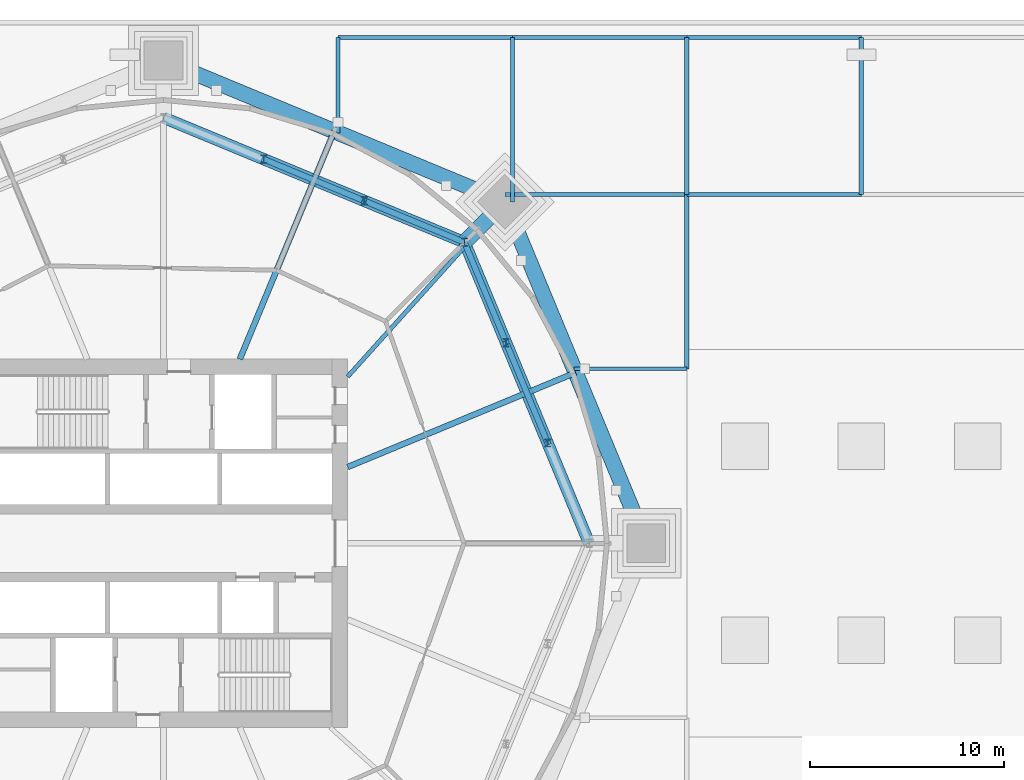
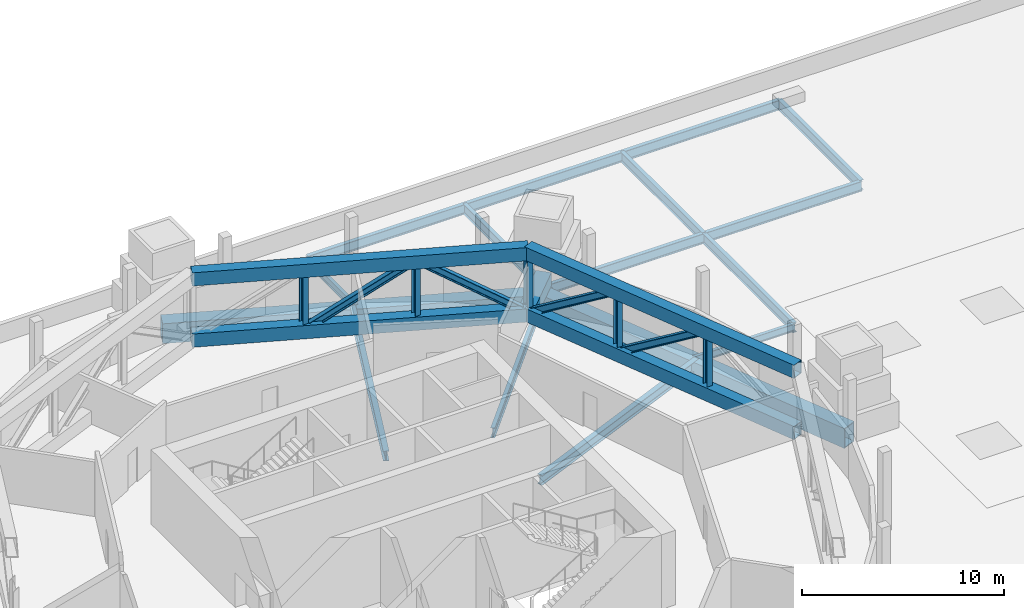
# One storey, part 5 of 21: 17 beams, 13 members.
"""IFC4 building model written with IfcOpenShell, lengths in metres."""

import ifcopenshell
import ifcopenshell.guid

model = None  # the IFC model being written
_history = None  # IfcOwnerHistory: only IFC2X3 demands one
_inside = {}  # id of a spatial element -> (the spatial element, [elements in it])
_under = {}  # id of a project, library or spatial element -> (it, [spatial elements below it])
_declared = {}  # id of a project -> (the project, [libraries it declares])
_typed = {}  # id of a type object -> (the type object, [elements of that type])
_made_of = {}  # id of a material, layer set ... -> (it, [elements and type objects made of it])


def new_model(schema):
    """Start an empty IFC model of exactly this schema.

    Asked for "IFC4X3", IfcOpenShell would pick the latest addendum, in which some entities
    have other attributes; the version numbers below select the first issue.
    IFC2X3 requires an IfcOwnerHistory on every rooted entity: one is made here for all.
    """
    global model, _history
    if schema == "IFC4X3":
        model = ifcopenshell.file(schema_version=(4, 3, 0, 0))
    else:
        model = ifcopenshell.file(schema=schema)
    _inside.clear()
    _under.clear()
    _declared.clear()
    _typed.clear()
    _made_of.clear()
    _history = None
    if model.schema == "IFC2X3":
        org = make("IfcOrganization", Name="unknown")
        user = make(
            "IfcPersonAndOrganization",
            ThePerson=make("IfcPerson", FamilyName="unknown"),
            TheOrganization=org,
        )
        app = make(
            "IfcApplication",
            ApplicationDeveloper=org,
            Version="unknown",
            ApplicationFullName="unknown",
            ApplicationIdentifier="unknown",
        )
        _history = make(
            "IfcOwnerHistory",
            OwningUser=user,
            OwningApplication=app,
            ChangeAction="ADDED",
            CreationDate=0,
        )
    return model


def make(cls, **values):
    """One entity of the class cls with the attributes given. An attribute that is None is left unset."""
    return model.create_entity(
        cls, **{name: value for name, value in values.items() if value is not None}
    )


def rooted(cls, **values):
    """An entity with a GlobalId (a new one), such as an element, a storey or a relation."""
    return make(cls, GlobalId=ifcopenshell.guid.new(), OwnerHistory=_history, **values)


def si_unit(unit_type, name, prefix=None):
    """IfcSIUnit, for example si_unit("LENGTHUNIT", "METRE", prefix="MILLI")."""
    return make("IfcSIUnit", UnitType=unit_type, Prefix=prefix, Name=name)


def assignment(units):
    """IfcUnitAssignment: the units of a project."""
    return None if units is None else make("IfcUnitAssignment", Units=units)


def point(xyz):
    """IfcCartesianPoint."""
    return None if xyz is None else make("IfcCartesianPoint", Coordinates=xyz)


def direction(xyz):
    """IfcDirection."""
    return None if xyz is None else make("IfcDirection", DirectionRatios=xyz)


def frame(location, z_axis=None, x_axis=None):
    """IfcAxis2Placement3D, a coordinate frame: its origin and axes. An axis left out is left unset."""
    return make(
        "IfcAxis2Placement3D",
        Location=point(location),
        Axis=direction(z_axis),
        RefDirection=direction(x_axis),
    )


def frame_2d(location, x_axis=None):
    """IfcAxis2Placement2D, a coordinate frame in the plane: its origin and x axis."""
    return make(
        "IfcAxis2Placement2D", Location=point(location), RefDirection=direction(x_axis)
    )


def origin():
    """The frame at (0, 0, 0) with its axes left unset."""
    return frame((0.0, 0.0, 0.0))


def origin_2d():
    """The frame at (0, 0) in the plane with its x axis left unset."""
    return frame_2d((0.0, 0.0))


def place(relative_to, where):
    """IfcLocalPlacement: puts the frame where relative to a parent placement (None: the world)."""
    return make(
        "IfcLocalPlacement", PlacementRelTo=relative_to, RelativePlacement=where
    )


def context(
    kind, dimensions, precision=None, world=None, true_north=None, identifier=None
):
    """IfcGeometricRepresentationContext, for example the 3D "Model" context."""
    return make(
        "IfcGeometricRepresentationContext",
        ContextIdentifier=identifier,
        ContextType=kind,
        CoordinateSpaceDimension=dimensions,
        Precision=precision,
        WorldCoordinateSystem=world,
        TrueNorth=true_north,
    )


def subcontext(parent, identifier, kind, view, scale=None):
    """IfcGeometricRepresentationSubContext, for example "Body" below "Model"."""
    return make(
        "IfcGeometricRepresentationSubContext",
        ContextIdentifier=identifier,
        ContextType=kind,
        ParentContext=parent,
        TargetScale=scale,
        TargetView=view,
    )


def project(units=None, contexts=None):
    """IfcProject with its units and contexts."""
    return rooted(
        "IfcProject",
        Name="project",
        RepresentationContexts=contexts,
        UnitsInContext=assignment(units),
    )


def spatial(cls, under=None, at=None, **own):
    """A site, building, storey or space (cls), placed at a placement, below another one or the project."""
    s = rooted(cls, ObjectPlacement=at, **own)
    if under is not None:
        _under.setdefault(under.id(), (under, []))[1].append(s)
    return s


def profile(cls, at=None, kind="AREA", **sizes):
    """A parametric profile (cls). Its sizes go by their IFC names, for example OverallWidth=200.0."""
    return make(cls, ProfileType=kind, Position=at, **sizes)


def hollow_rectangle(**sizes):
    """IfcRectangleHollowProfileDef."""
    return profile("IfcRectangleHollowProfileDef", **sizes)


def i_section(**sizes):
    """IfcIShapeProfileDef."""
    return profile("IfcIShapeProfileDef", **sizes)


def extrude(swept, where, along, depth):
    """IfcExtrudedAreaSolid: the profile swept, set in the frame where, extruded along a direction by depth."""
    return make(
        "IfcExtrudedAreaSolid",
        SweptArea=swept,
        Position=where,
        ExtrudedDirection=direction(along),
        Depth=depth,
    )


def shape(context_of_items, identifier, shape_type, items):
    """IfcShapeRepresentation: the items that make up one representation, for example the "Body"."""
    return make(
        "IfcShapeRepresentation",
        ContextOfItems=context_of_items,
        RepresentationIdentifier=identifier,
        RepresentationType=shape_type,
        Items=items,
    )


def material(Name=None, Category=None):
    """IfcMaterial."""
    return make("IfcMaterial", Name=Name, Category=Category)


def material_profile(
    of_material, cross_section, Name=None, Category=None, Priority=None
):
    """IfcMaterialProfile: a cross section and its material."""
    return make(
        "IfcMaterialProfile",
        Name=Name,
        Material=of_material,
        Profile=cross_section,
        Priority=Priority,
        Category=Category,
    )


def profile_set(profiles, Name=None, composite=None):
    """IfcMaterialProfileSet."""
    return make(
        "IfcMaterialProfileSet",
        Name=Name,
        MaterialProfiles=profiles,
        CompositeProfile=composite,
    )


def made_of(thing, what):
    """Note that an element or type object is made of a material, layer set ...; save() writes the relation."""
    if what is not None:
        _made_of.setdefault(what.id(), (what, []))[1].append(thing)
    return thing


def type_object(cls, material=None, **own):
    """A type object (cls), such as IfcWallType, which elements share."""
    return made_of(rooted(cls, **own), material)


def element(
    cls,
    number,
    at=None,
    inside=None,
    cuts=None,
    type_object=None,
    material=None,
    context=None,
    identifier="Body",
    shape_type=None,
    held_by="IfcProductDefinitionShape",
    body=None,
    shapes=None,
    **own,
):
    """One element of the class cls, such as IfcWall. Its Tag is "e" and its number.

    at: its placement. inside: the storey or other place that contains it. cuts: it is an
    opening in that element (IfcRelVoidsElement). A single representation is given by context,
    identifier, shape_type and body (its items); several are given by shapes. held_by: the class
    of the entity that holds the representations. save() writes the other relations.
    """
    e = rooted(cls, Tag="e%d" % number, ObjectPlacement=at, **own)
    if body is not None:
        shapes = [shape(context, identifier, shape_type, body)]
    if shapes is not None:
        e.Representation = make(held_by, Representations=shapes)
    if inside is not None:
        _inside.setdefault(inside.id(), (inside, []))[1].append(e)
    if cuts is not None:
        rooted(
            "IfcRelVoidsElement", RelatingBuildingElement=cuts, RelatedOpeningElement=e
        )
    if type_object is not None:
        _typed.setdefault(type_object.id(), (type_object, []))[1].append(e)
    return made_of(e, material)


def aggregate(whole, parts):
    """IfcRelAggregates: a whole, such as a stair, and the parts it consists of."""
    return rooted("IfcRelAggregates", RelatingObject=whole, RelatedObjects=parts)


def save(model, path):
    """Write the relations noted so far, then the file.

    IfcRelAggregates (storeys below a building ...), IfcRelContainedInSpatialStructure (elements
    in a storey), IfcRelDefinesByType, IfcRelAssociatesMaterial and IfcRelDeclares: one each for
    every whole, place, type object, material and project.
    """
    for whole, parts in _under.values():
        aggregate(whole, parts)
    for where, things in _inside.values():
        rooted(
            "IfcRelContainedInSpatialStructure",
            RelatedElements=things,
            RelatingStructure=where,
        )
    for kind, things in _typed.values():
        rooted("IfcRelDefinesByType", RelatedObjects=things, RelatingType=kind)
    for what, things in _made_of.values():
        rooted("IfcRelAssociatesMaterial", RelatedObjects=things, RelatingMaterial=what)
    for by, libraries in _declared.values():
        rooted("IfcRelDeclares", RelatingContext=by, RelatedDefinitions=libraries)
    model.write(path)


model = new_model("IFC4")

# Units and contexts
model_context = context("Model", 3, precision=1e-05, world=origin(), true_north=direction((0.0, 1.0)))
body_context = subcontext(model_context, "Body", "Model", "MODEL_VIEW")
ifc_project = project(units=[si_unit("LENGTHUNIT", "METRE"), si_unit("AREAUNIT", "SQUARE_METRE"), si_unit("VOLUMEUNIT", "CUBIC_METRE"), si_unit("PLANEANGLEUNIT", "RADIAN"), si_unit("MASSUNIT", "GRAM", prefix="KILO")], contexts=[model_context])

# Site, building, storey
site_placement = place(None, origin())
site = spatial("IfcSite", under=ifc_project, at=site_placement, CompositionType="ELEMENT")
building_placement = place(site_placement, origin())
building = spatial("IfcBuilding", under=site, at=building_placement, Name="Ogive Gate Towers", CompositionType="ELEMENT")
storey_placement = place(building_placement, frame((0.0, 0.0, 27.60009765625)))
storey = spatial("IfcBuildingStorey", under=building, at=storey_placement, Name="L05", CompositionType="ELEMENT", Elevation=27.60009765625)

# Beams
ifc_material_1 = material(Name="Steel SM460", Category="steel")
ifc_material_profile_1 = material_profile(ifc_material_1, hollow_rectangle(XDim=0.800048828125, YDim=1.199951171875, WallThickness=0.050048828125, at=origin_2d()), Name="BX 1200x800x50")
ifc_profile_set_1 = profile_set([ifc_material_profile_1], Name="Steel SM460")
beam_type_1 = type_object("IfcBeamType", Name="Edge girder BX 1200x800x50", PredefinedType="BEAM", material=ifc_profile_set_1)
for number, where, z_axis, x_axis, name in (
    (1, (-11.090087890625, 0.0, -0.900146484375), (-0.382680526191, 0.923880736283, 0.0), (-0.923880736283, -0.382680526191, 0.0), "T1/L05/SBM020"),
    (2, (-18.385986328125, 17.614013671875, -0.900146484375), (-0.923880736283, 0.382680526191, 0.0), (-0.382680526191, -0.923880736283, 0.0), "T1/L05/SBM021"),
):
    element("IfcBeam", number, at=place(storey_placement, frame(where, z_axis=z_axis, x_axis=x_axis)), inside=storey, type_object=beam_type_1, Name=name, PredefinedType="BEAM", context=body_context, shape_type="SweptSolid", body=[
        extrude(hollow_rectangle(XDim=0.800048828125, YDim=1.199951171875, WallThickness=0.050048828125, at=origin_2d()), origin(), (0.0, 0.0, 1.0), 19.065185546875),
    ])
ifc_material_2 = material(Name="Steel SM355", Category="steel")
ifc_material_profile_2 = material_profile(ifc_material_2, i_section(OverallWidth=0.18994140625, OverallDepth=0.449951171875, WebThickness=0.009521484375, FlangeThickness=0.0146484375, FilletRadius=0.02099609375, at=origin_2d()), Name="IPE 450")
ifc_profile_set_2 = profile_set([ifc_material_profile_2], Name="Steel SM355")
beam_type_2 = type_object("IfcBeamType", Name="Floor beam IPE 450", PredefinedType="BEAM", material=ifc_profile_set_2)
beam_1_placement = place(storey_placement, frame((-27.0, 26.10009765625, -0.525146484375), z_axis=(0.0, -1.0, 0.0), x_axis=(1.0, 0.0, 0.0)))
element("IfcBeam", 3, at=beam_1_placement, inside=storey, type_object=beam_type_2, Name="PD/L05/SBM056", PredefinedType="BEAM", context=body_context, shape_type="SweptSolid", body=[
    extrude(i_section(OverallWidth=0.18994140625, OverallDepth=0.449951171875, WebThickness=0.009521484375, FlangeThickness=0.0146484375, FilletRadius=0.02099609375, at=origin_2d()), origin(), (0.0, 0.0, 1.0), 4.91796875),
])
beam_2_placement = place(storey_placement, frame((-9.0, 9.0, -0.525146484375), z_axis=(-1.0, 0.0, 0.0), x_axis=(0.0, -1.0, 0.0)))
element("IfcBeam", 4, at=beam_2_placement, inside=storey, type_object=beam_type_2, Name="PD/L05/SBM058", PredefinedType="BEAM", context=body_context, shape_type="SweptSolid", body=[
    extrude(i_section(OverallWidth=0.18994140625, OverallDepth=0.449951171875, WebThickness=0.009521484375, FlangeThickness=0.0146484375, FilletRadius=0.02099609375, at=origin_2d()), origin(), (0.0, 0.0, 1.0), 5.81787109375),
])
ifc_material_profile_3 = material_profile(ifc_material_2, i_section(OverallWidth=0.219970703125, OverallDepth=0.60009765625, WebThickness=0.011962890625, FlangeThickness=0.01904296875, FilletRadius=0.02392578125, at=origin_2d()), Name="IPE 600")
ifc_profile_set_3 = profile_set([ifc_material_profile_3], Name="Steel SM355")
beam_type_3 = type_object("IfcBeamType", Name="Floor beam IPE 600", PredefinedType="BEAM", material=ifc_profile_set_3)
beam_3_placement = place(storey_placement, frame((-18.0, 17.614013671875, -0.60009765625), z_axis=(0.0, 1.0, 0.0), x_axis=(-1.0, 0.0, 0.0)))
element("IfcBeam", 5, at=beam_3_placement, inside=storey, type_object=beam_type_3, Name="PD/L05/SBM004", PredefinedType="BEAM", context=body_context, shape_type="SweptSolid", body=[
    extrude(i_section(OverallWidth=0.219970703125, OverallDepth=0.60009765625, WebThickness=0.011962890625, FlangeThickness=0.01904296875, FilletRadius=0.02392578125, at=origin_2d()), origin(), (0.0, 0.0, 1.0), 8.486083984375),
])
beam_4_placement = place(storey_placement, frame((-9.0, 9.0, -0.60009765625), z_axis=(0.0, 1.0, 0.0), x_axis=(-1.0, 0.0, 0.0)))
element("IfcBeam", 6, at=beam_4_placement, inside=storey, type_object=beam_type_3, Name="PD/L05/SBM007", PredefinedType="BEAM", context=body_context, shape_type="SweptSolid", body=[
    extrude(i_section(OverallWidth=0.219970703125, OverallDepth=0.60009765625, WebThickness=0.011962890625, FlangeThickness=0.01904296875, FilletRadius=0.02392578125, at=origin_2d()), origin(), (0.0, 0.0, 1.0), 9.0),
])
for number, where, z_axis, x_axis, name in (
    (7, (-9.0, 18.0, -0.60009765625), (0.0, 1.0, 0.0), (-1.0, 0.0, 0.0), "PD/L05/SBM008"),
    (8, (0.0, 18.0, -0.60009765625), (0.0, 1.0, 0.0), (-1.0, 0.0, 0.0), "PD/L05/SBM010"),
):
    element("IfcBeam", number, at=place(storey_placement, frame(where, z_axis=z_axis, x_axis=x_axis)), inside=storey, type_object=beam_type_3, Name=name, PredefinedType="BEAM", context=body_context, shape_type="SweptSolid", body=[
        extrude(i_section(OverallWidth=0.219970703125, OverallDepth=0.60009765625, WebThickness=0.011962890625, FlangeThickness=0.01904296875, FilletRadius=0.02392578125, at=origin_2d()), origin(), (0.0, 0.0, 1.0), 8.10009765625),
    ])
beam_5_placement = place(storey_placement, frame((-18.385986328125, 18.0, -0.60009765625), z_axis=(1.0, 0.0, 0.0), x_axis=(0.0, 1.0, 0.0)))
element("IfcBeam", 9, at=beam_5_placement, inside=storey, type_object=beam_type_3, Name="PD/L05/SBM026", PredefinedType="BEAM", context=body_context, shape_type="SweptSolid", body=[
    extrude(i_section(OverallWidth=0.219970703125, OverallDepth=0.60009765625, WebThickness=0.011962890625, FlangeThickness=0.01904296875, FilletRadius=0.02392578125, at=origin_2d()), origin(), (0.0, 0.0, 1.0), 9.385986328125),
])
for number, where, z_axis, x_axis, name in (
    (10, (-9.0, 18.0, -0.60009765625), (1.0, 0.0, 0.0), (0.0, 1.0, 0.0), "PD/L05/SBM027"),
    (11, (-27.0, 26.10009765625, -0.60009765625), (1.0, 0.0, 0.0), (0.0, 1.0, 0.0), "PD/L05/SBM042"),
    (12, (-18.0, 26.10009765625, -0.60009765625), (1.0, 0.0, 0.0), (0.0, 1.0, 0.0), "PD/L05/SBM043"),
    (13, (-9.0, 26.10009765625, -0.60009765625), (1.0, 0.0, 0.0), (0.0, 1.0, 0.0), "PD/L05/SBM044"),
):
    element("IfcBeam", number, at=place(storey_placement, frame(where, z_axis=z_axis, x_axis=x_axis)), inside=storey, type_object=beam_type_3, Name=name, PredefinedType="BEAM", context=body_context, shape_type="SweptSolid", body=[
        extrude(i_section(OverallWidth=0.219970703125, OverallDepth=0.60009765625, WebThickness=0.011962890625, FlangeThickness=0.01904296875, FilletRadius=0.02392578125, at=origin_2d()), origin(), (0.0, 0.0, 1.0), 9.0),
    ])
ifc_material_profile_4 = material_profile(ifc_material_1, hollow_rectangle(XDim=0.800048828125, YDim=0.800048828125, WallThickness=0.050048828125, at=origin_2d()), Name="BX 800x800x50")
ifc_profile_set_4 = profile_set([ifc_material_profile_4], Name="Steel SM460")
beam_type_4 = type_object("IfcBeamType", Name="Node arm BX 800x800x50", PredefinedType="BEAM", material=ifc_profile_set_4)
beam_6_placement = place(storey_placement, frame((-20.471923828125, 15.528076171875, 0.449951171875), z_axis=(0.707106781187, 0.707106781187, 0.0), x_axis=(-0.707106781187, 0.707106781187, 0.0)))
element("IfcBeam", 14, at=beam_6_placement, inside=storey, type_object=beam_type_4, Name="T1/L05/SBM026", PredefinedType="BEAM", context=body_context, shape_type="SweptSolid", body=[
    extrude(hollow_rectangle(XDim=0.800048828125, YDim=0.800048828125, WallThickness=0.050048828125, at=origin_2d()), origin(), (0.0, 0.0, 1.0), 2.949951171875),
])
ifc_material_profile_5 = material_profile(ifc_material_2, i_section(OverallWidth=0.300048828125, OverallDepth=0.590087890625, WebThickness=0.012939453125, FlangeThickness=0.02490234375, FilletRadius=0.027099609375, at=origin_2d()), Name="HE 600 A")
ifc_profile_set_5 = profile_set([ifc_material_profile_5], Name="Steel SM355")
beam_type_5 = type_object("IfcBeamType", Name="Radial floor beam HE 600 A", PredefinedType="BEAM", material=ifc_profile_set_5)
for number, where, z_axis, x_axis, name in (
    (15, (-26.5, 3.93505859375, -0.59521484375), (0.923876595354, 0.382690523214, 0.0), (-0.382690523214, 0.923876595354, 0.0), "T1/L05/SBM008"),
    (16, (-32.06494140625, 9.5, -0.59521484375), (0.382690523214, 0.923876595354, 0.0), (-0.923876595354, 0.382690523214, 0.0), "T1/L05/SBM010"),
):
    element("IfcBeam", number, at=place(storey_placement, frame(where, z_axis=z_axis, x_axis=x_axis)), inside=storey, type_object=beam_type_5, Name=name, PredefinedType="BEAM", context=body_context, shape_type="SweptSolid", body=[
        extrude(i_section(OverallWidth=0.300048828125, OverallDepth=0.590087890625, WebThickness=0.012939453125, FlangeThickness=0.02490234375, FilletRadius=0.027099609375, at=origin_2d()), origin(), (0.0, 0.0, 1.0), 12.731201171875),
    ])
ifc_material_profile_6 = material_profile(ifc_material_2, i_section(OverallWidth=0.219970703125, OverallDepth=0.60009765625, WebThickness=0.011962890625, FlangeThickness=0.01904296875, FilletRadius=0.02392578125, at=origin_2d()), Name="IPE 600")
ifc_profile_set_6 = profile_set([ifc_material_profile_6], Name="Steel SM355")
beam_type_6 = type_object("IfcBeamType", Name="Radial floor beam IPE 600", PredefinedType="BEAM", material=ifc_profile_set_6)
beam_7_placement = place(storey_placement, frame((-26.5, 8.60009765625, -0.60009765625), z_axis=(0.669032571491, 0.743233084761, 0.0), x_axis=(-0.743233084761, 0.669032571491, 0.0)))
element("IfcBeam", 17, at=beam_7_placement, inside=storey, type_object=beam_type_6, Name="T1/L05/SBM009", PredefinedType="BEAM", context=body_context, shape_type="SweptSolid", body=[
    extrude(i_section(OverallWidth=0.219970703125, OverallDepth=0.60009765625, WebThickness=0.011962890625, FlangeThickness=0.01904296875, FilletRadius=0.02392578125, at=origin_2d()), origin(), (0.0, 0.0, 1.0), 12.1279296875),
])

# Members
ifc_material_profile_7 = material_profile(ifc_material_1, hollow_rectangle(XDim=0.60009765625, YDim=0.800048828125, WallThickness=0.0400390625, at=origin_2d()), Name="BX 800x600x40")
ifc_profile_set_7 = profile_set([ifc_material_profile_7], Name="Steel SM460")
member_type_1 = type_object("IfcMemberType", Name="Truss chord BX 800x600x40", PredefinedType="CHORD", material=ifc_profile_set_7)
for number, where, z_axis, x_axis, name in (
    (18, (-14.0400390625, 0.0, 0.39990234375), (-0.382680640128, 0.923880689089, 0.0), (-0.923880689089, -0.382680640128, 0.0), "T1/L05/STR001"),
    (19, (-14.0400390625, 0.0, 4.099853515625), (-0.382680640128, 0.923880689089, 0.0), (-0.923880689089, -0.382680640128, 0.0), "T1/L05/STR002"),
    (20, (-20.471923828125, 15.528076171875, 0.39990234375), (-0.923880689089, 0.382680640128, 0.0), (-0.382680640128, -0.923880689089, 0.0), "T1/L05/STR010"),
    (21, (-20.471923828125, 15.528076171875, 4.099853515625), (-0.923880689089, 0.382680640128, 0.0), (-0.382680640128, -0.923880689089, 0.0), "T1/L05/STR011"),
):
    element("IfcMember", number, at=place(storey_placement, frame(where, z_axis=z_axis, x_axis=x_axis)), inside=storey, type_object=member_type_1, Name=name, PredefinedType="CHORD", context=body_context, shape_type="SweptSolid", body=[
        extrude(hollow_rectangle(XDim=0.60009765625, YDim=0.800048828125, WallThickness=0.0400390625, at=origin_2d()), origin(), (0.0, 0.0, 1.0), 16.807373046875),
    ])
ifc_material_profile_8 = material_profile(ifc_material_1, i_section(OverallWidth=0.300048828125, OverallDepth=0.39990234375, WebThickness=0.013427734375, FlangeThickness=0.02392578125, FilletRadius=0.027099609375, at=origin_2d()), Name="HE 400 B")
ifc_profile_set_8 = profile_set([ifc_material_profile_8], Name="Steel SM460")
member_type_2 = type_object("IfcMemberType", Name="Truss diagonal HE 400 B", PredefinedType="BRACE", material=ifc_profile_set_8)
member_1_placement = place(storey_placement, frame((-16.18408203125, 5.176025390625, 4.099853515625), z_axis=(-0.319306475879, 0.770939140771, -0.551086395848), x_axis=(-0.923890960058, -0.382655842662, 0.0)))
element("IfcMember", 22, at=member_1_placement, inside=storey, type_object=member_type_2, Name="T1/L05/STR004", PredefinedType="BRACE", context=body_context, shape_type="SweptSolid", body=[
    extrude(i_section(OverallWidth=0.300048828125, OverallDepth=0.39990234375, WebThickness=0.013427734375, FlangeThickness=0.02392578125, FilletRadius=0.027099609375, at=origin_2d()), origin(), (0.0, 0.0, 1.0), 6.7138671875),
])
for number, where, z_axis, x_axis, name in (
    (23, (-18.327880859375, 10.35205078125, 4.099853515625), (-0.319339131165, 0.770930189005, -0.551079996904), (-0.92387555344, -0.382693038551, 0.0), "T1/L05/STR005"),
    (24, (-20.471923828125, 15.528076171875, 0.39990234375), (-0.770930189005, 0.319339131165, 0.551079996904), (-0.382693038551, -0.92387555344, 0.0), "T1/L05/STR012"),
):
    element("IfcMember", number, at=place(storey_placement, frame(where, z_axis=z_axis, x_axis=x_axis)), inside=storey, type_object=member_type_2, Name=name, PredefinedType="BRACE", context=body_context, shape_type="SweptSolid", body=[
        extrude(i_section(OverallWidth=0.300048828125, OverallDepth=0.39990234375, WebThickness=0.013427734375, FlangeThickness=0.02392578125, FilletRadius=0.027099609375, at=origin_2d()), origin(), (0.0, 0.0, 1.0), 6.714111328125),
    ])
member_2_placement = place(storey_placement, frame((-25.64794921875, 17.672119140625, 4.099853515625), z_axis=(-0.770939140771, 0.319306475879, -0.551086395848), x_axis=(-0.382655842662, -0.923890960058, 0.0)))
element("IfcMember", 25, at=member_2_placement, inside=storey, type_object=member_type_2, Name="T1/L05/STR013", PredefinedType="BRACE", context=body_context, shape_type="SweptSolid", body=[
    extrude(i_section(OverallWidth=0.300048828125, OverallDepth=0.39990234375, WebThickness=0.013427734375, FlangeThickness=0.02392578125, FilletRadius=0.027099609375, at=origin_2d()), origin(), (0.0, 0.0, 1.0), 6.7138671875),
])
ifc_material_profile_9 = material_profile(ifc_material_1, i_section(OverallWidth=0.300048828125, OverallDepth=0.39990234375, WebThickness=0.013427734375, FlangeThickness=0.02392578125, FilletRadius=0.027099609375, at=origin_2d()), Name="HE 400 B")
ifc_profile_set_9 = profile_set([ifc_material_profile_9], Name="Steel SM460")
member_type_3 = type_object("IfcMemberType", Name="Truss post HE 400 B", PredefinedType="POST", material=ifc_profile_set_9)
for number, where, z_axis, x_axis, name in (
    (26, (-16.18408203125, 5.176025390625, 0.39990234375), (0.0, 0.0, 1.0), (1.0, 0.0, 0.0), "T1/L05/STR007"),
    (27, (-18.327880859375, 10.35205078125, 0.39990234375), (0.0, 0.0, 1.0), (1.0, 0.0, 0.0), "T1/L05/STR008"),
    (28, (-20.471923828125, 15.528076171875, 0.39990234375), (0.0, 0.0, 1.0), (1.0, 0.0, 0.0), "T1/L05/STR009"),
    (29, (-25.64794921875, 17.672119140625, 0.39990234375), (0.0, 0.0, 1.0), (1.0, 0.0, 0.0), "T1/L05/STR015"),
    (30, (-30.823974609375, 19.81591796875, 0.39990234375), (0.0, 0.0, 1.0), (1.0, 0.0, 0.0), "T1/L05/STR016"),
):
    element("IfcMember", number, at=place(storey_placement, frame(where, z_axis=z_axis, x_axis=x_axis)), inside=storey, type_object=member_type_3, Name=name, PredefinedType="POST", context=body_context, shape_type="SweptSolid", body=[
        extrude(i_section(OverallWidth=0.300048828125, OverallDepth=0.39990234375, WebThickness=0.013427734375, FlangeThickness=0.02392578125, FilletRadius=0.027099609375, at=origin_2d()), origin(), (0.0, 0.0, 1.0), 3.699951171875),
    ])

save(model, "model.ifc")
